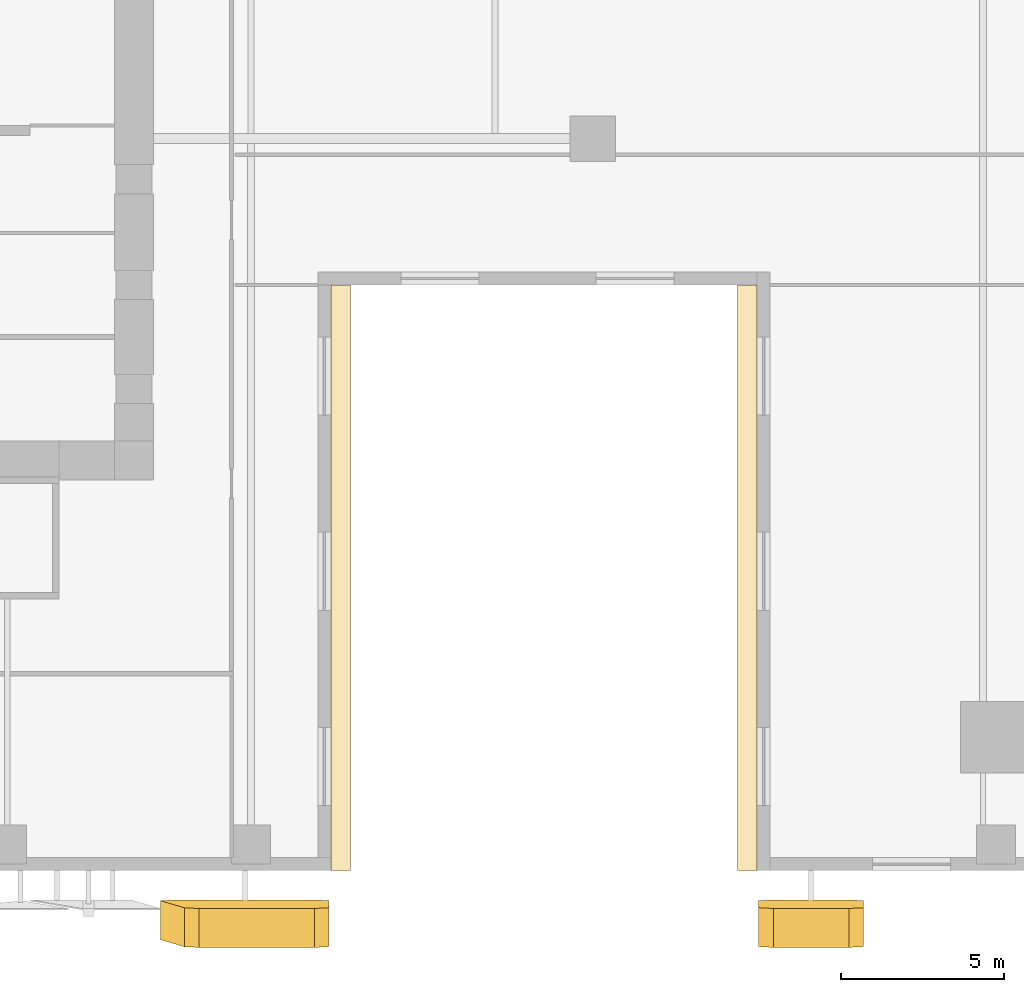
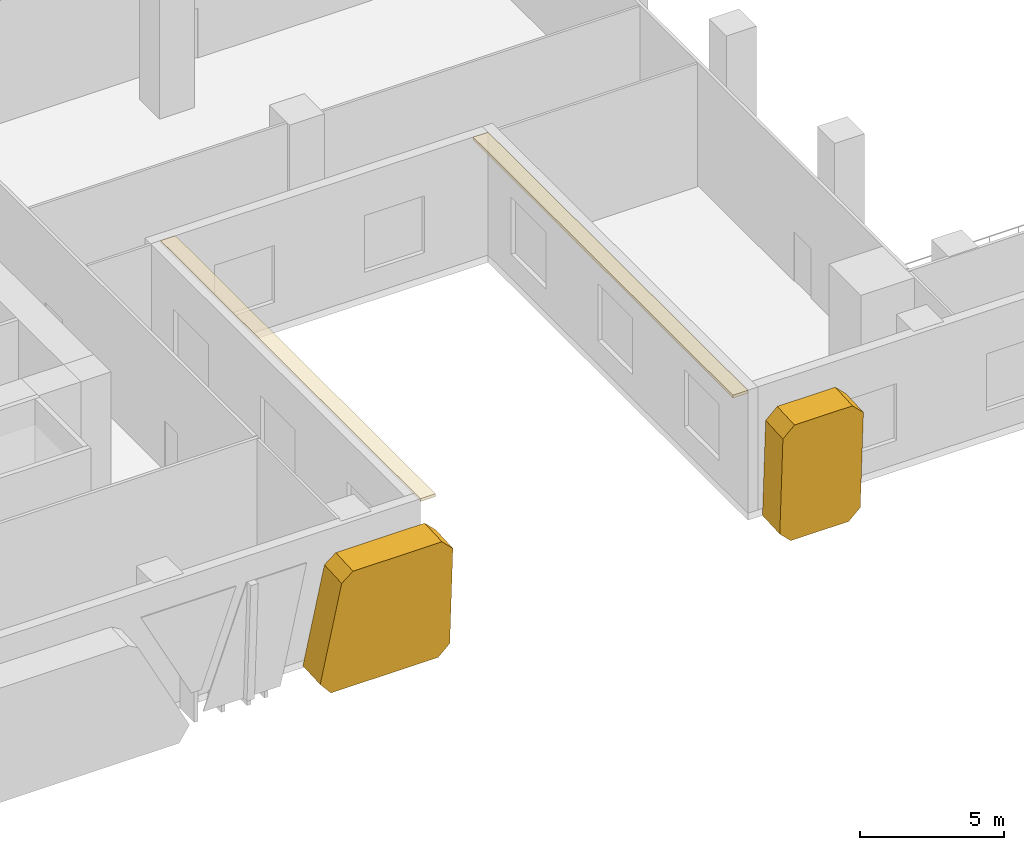
# One storey, part 18 of 23: 4 coverings.
"""IFC4 building model written with IfcOpenShell, lengths in metres."""

from ifc_helpers import new_model, si_unit, direction, frame, origin, place, context, subcontext, project, spatial, polyline, outline, extrude, source, transform, mapped, material, layer, layer_set, type_object, element, save


model = new_model("IFC4")

# Units and contexts
model_context = context("Model", 3, precision=1e-05, world=origin(), true_north=direction((0.0, 1.0)))
body_context = subcontext(model_context, "Body", "Model", "MODEL_VIEW")
ifc_project = project(units=[si_unit("LENGTHUNIT", "METRE"), si_unit("AREAUNIT", "SQUARE_METRE"), si_unit("VOLUMEUNIT", "CUBIC_METRE"), si_unit("PLANEANGLEUNIT", "RADIAN"), si_unit("MASSUNIT", "GRAM", prefix="KILO")], contexts=[model_context])

# Site, building, storey
site_placement = place(None, origin())
site = spatial("IfcSite", under=ifc_project, at=site_placement, CompositionType="ELEMENT")
building_placement = place(site_placement, origin())
building = spatial("IfcBuilding", under=site, at=building_placement, Name="Khomas Fold Tower", CompositionType="ELEMENT")
storey_placement = place(building_placement, frame((0.0, 0.0, 7.5)))
storey = spatial("IfcBuildingStorey", under=building, at=storey_placement, Name="L01", CompositionType="ELEMENT", Elevation=7.5)

# Coverings
ifc_material_1 = material(Name="Natural stone cladding", Category="masonry")
ifc_layer_1 = layer(ifc_material_1, 1.199951171875)
ifc_layer_set_1 = layer_set([ifc_layer_1], Name="Natural stone cladding")
covering_type_1 = type_object("IfcCoveringType", Name="SK-Karibib marble stone panel", PredefinedType="CLADDING", material=ifc_layer_set_1)
covering_1_placement = place(storey_placement, frame((24.21533203125, -0.927734375, 0.5283203125), z_axis=(-9.458513e-06, 0.99862935354, 0.052339413062), x_axis=(0.173798507709, -0.051541230159, 0.983431533108)))
element("IfcCovering", 1, at=covering_1_placement, inside=storey, type_object=covering_type_1, Name="OUTER SKIN leaf L01 SS06-2", PredefinedType="CLADDING", context=body_context, shape_type="SweptSolid", body=[
    extrude(outline(polyline([(0.0, 0.0), (4.219820105714131, 1.1102230246251565e-16), (4.663492535791772, 0.3716618649663249), (5.281885956530866, 3.8756173588050586), (4.916382630381748, 4.3970276836975355), (0.8237859830719081, 5.119307074913327), (0.301868389187288, 4.754512682443098), (-0.44398858554523635, 0.52832017038757), (0.0, 0.0)])), origin(), (0.0, 0.0, -1.0), 1.199951171875),
])
covering_2_placement = place(storey_placement, frame((42.60009765625, -0.923583984375, 0.449951171875), z_axis=(0.0, 0.998629613547, 0.052334452769), x_axis=(0.0, -0.052334452769, 0.998629613547)))
element("IfcCovering", 2, at=covering_2_placement, inside=storey, type_object=covering_type_1, Name="OUTER SKIN leaf L01 SS09-3", PredefinedType="CLADDING", context=body_context, shape_type="SweptSolid", body=[
    extrude(outline(polyline([(0.0, 0.0), (4.1558434565687286, 0.0), (4.60640461019013, 0.449951171875), (4.60640461019013, 2.77001953125), (4.1558434565687286, 3.219970703125), (0.0, 3.219970703125), (-0.4505739305874088, 2.77001953125), (-0.4505739305874088, 0.449951171875), (0.0, 0.0)])), origin(), (0.0, 0.0, -1.0), 1.199951171875),
])
ifc_material_2 = material(Name="Natural stone cladding", Category="masonry")
ifc_layer_2 = layer(ifc_material_2, 0.1201171875)
ifc_layer_set_2 = layer_set([ifc_layer_2], Name="Natural stone cladding")
covering_type_2 = type_object("IfcCoveringType", Name="Notch soffit stone GN-SF", PredefinedType="CLADDING", material=ifc_layer_set_2)
shared_shape_1 = source(origin(), body_context, "Body", "SweptSolid", [
    extrude(outline(polyline([(41.949951171875, 18.0), (41.949951171875, 0.0), (42.550048828125, 0.0), (42.550048828125, 18.0), (41.949951171875, 18.0)])), origin(), (0.0, 0.0, 1.0), 0.119873046875),
])
covering_3_placement = place(storey_placement, frame((0.0, 0.0, 5.080078125)))
element("IfcCovering", 3, at=covering_3_placement, inside=storey, type_object=covering_type_2, Name="Notch soffit stone", PredefinedType="CLADDING", context=body_context, shape_type="MappedRepresentation", body=[
    mapped(shared_shape_1, transform((0.0, 0.0, 0.0))),
])
shared_shape_2 = source(origin(), body_context, "Body", "SweptSolid", [
    extrude(outline(polyline([(30.050048828125, 0.0), (30.050048828125, 18.0), (29.449951171875, 18.0), (29.449951171875, 0.0), (30.050048828125, 0.0)])), origin(), (0.0, 0.0, 1.0), 0.119873046875),
])
covering_4_placement = place(storey_placement, frame((0.0, 0.0, 5.080078125)))
element("IfcCovering", 4, at=covering_4_placement, inside=storey, type_object=covering_type_2, Name="Notch soffit stone", PredefinedType="CLADDING", context=body_context, shape_type="MappedRepresentation", body=[
    mapped(shared_shape_2, transform((0.0, 0.0, 0.0))),
])

save(model, "model.ifc")
